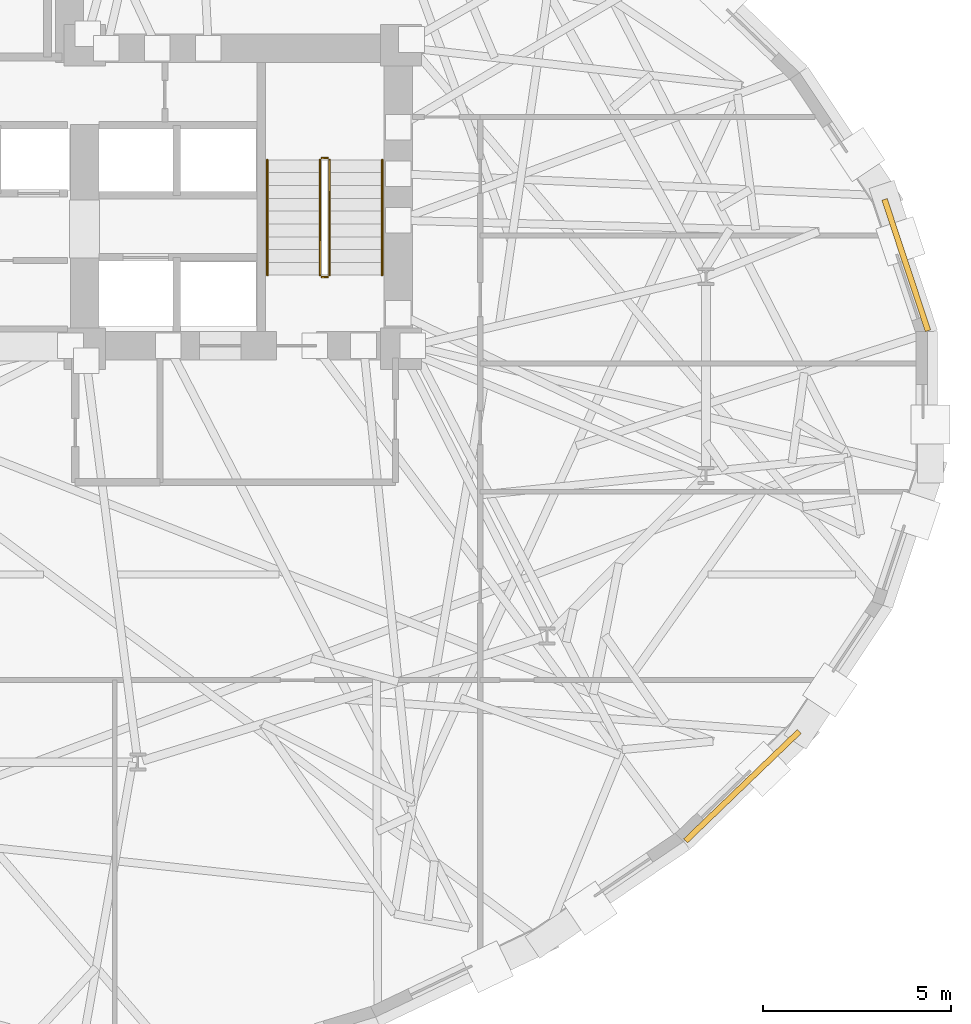
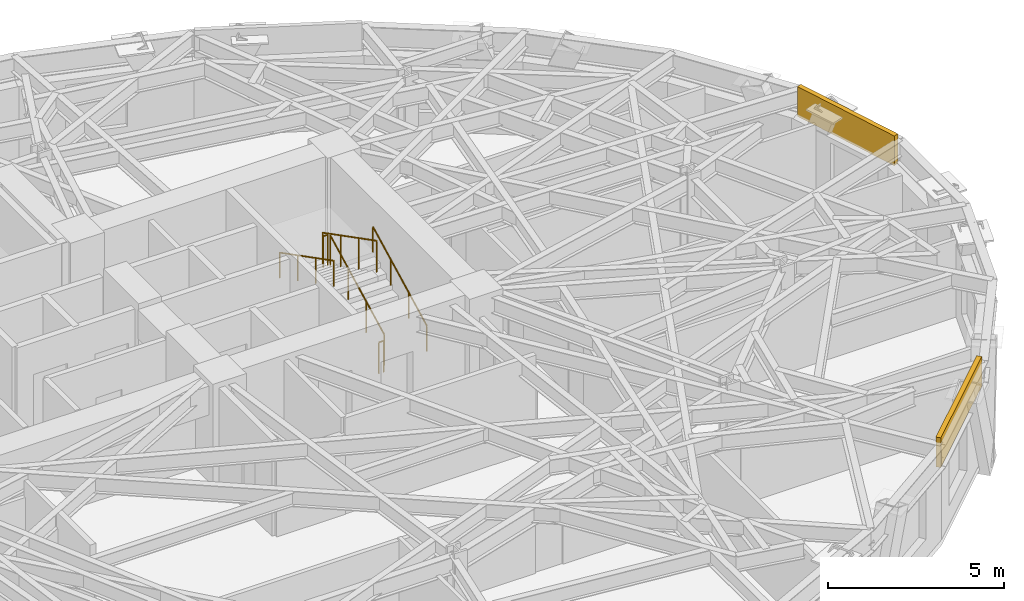
# One storey, part 13 of 14: 6 railings, 2 coverings.
"""IFC4 building model written with IfcOpenShell, lengths in metres."""

from ifc_helpers import new_model, si_unit, direction, frame, origin, origin_2d, place, context, subcontext, project, spatial, rectangle, circle, extrude, material, layer, layer_set, type_object, element, save


model = new_model("IFC4")

# Units and contexts
model_context = context("Model", 3, precision=1e-05, world=origin(), true_north=direction((0.0, 1.0)))
body_context = subcontext(model_context, "Body", "Model", "MODEL_VIEW")
ifc_project = project(units=[si_unit("LENGTHUNIT", "METRE"), si_unit("AREAUNIT", "SQUARE_METRE"), si_unit("VOLUMEUNIT", "CUBIC_METRE"), si_unit("PLANEANGLEUNIT", "RADIAN"), si_unit("MASSUNIT", "GRAM", prefix="KILO")], contexts=[model_context])

# Site, building, storey
site_placement = place(None, origin())
site = spatial("IfcSite", under=ifc_project, at=site_placement, CompositionType="ELEMENT")
building_placement = place(site_placement, origin())
building = spatial("IfcBuilding", under=site, at=building_placement, Name="Keldmark Tower", CompositionType="ELEMENT")
storey_placement = place(building_placement, frame((0.0, 0.0, 103.60009765625)))
storey = spatial("IfcBuildingStorey", under=building, at=storey_placement, Name="L27", CompositionType="ELEMENT", Elevation=103.60009765625)

# Coverings
ifc_material_1 = material(Name="Honed Kasota Buff Dolomitic Limestone", Category="masonry")
ifc_layer = layer(ifc_material_1, 0.074951171875)
ifc_layer_set = layer_set([ifc_layer], Name="Honed Kasota Buff Dolomitic Limestone")
covering_type = type_object("IfcCoveringType", Name="Kasota Buff Limestone Spandrel Cladding Band", PredefinedType="CLADDING", material=ifc_layer_set)
covering_1_placement = place(storey_placement, frame((27.0146484375, 3.617919921875, 2.45166015625), z_axis=(0.0, 0.0, 1.0), x_axis=(-0.314290711278, 0.949326787152, 0.0)))
element("IfcCovering", 1, at=covering_1_placement, inside=storey, type_object=covering_type, Name="L27 Kasota Limestone Spandrel Band 01", PredefinedType="CLADDING", context=body_context, shape_type="SweptSolid", body=[
    extrude(rectangle(XDim=3.67578125, YDim=0.14990234375, at=origin_2d()), origin(), (0.0, 0.0, 1.0), 1.028076171875),
])
covering_2_placement = place(storey_placement, frame((22.6650390625, -10.21630859375, 2.45166015625), z_axis=(0.0, 0.0, 1.0), x_axis=(0.720587417127, 0.693364099357, 0.0)))
element("IfcCovering", 2, at=covering_2_placement, inside=storey, type_object=covering_type, Name="L27 Kasota Limestone Spandrel Band 29", PredefinedType="CLADDING", context=body_context, shape_type="SweptSolid", body=[
    extrude(rectangle(XDim=4.186767578125, YDim=0.14990234375, at=origin_2d()), origin(), (0.0, 0.0, 1.0), 1.028076171875),
])

# Railings
ifc_material_2 = material(Name="Painted Steel ASTM A500 Grade B", Category="steel")
railing_type_1 = type_object("IfcRailingType", Name="Painted Steel Stair Well Guard 1100 mm", PredefinedType="GUARDRAIL", material=ifc_material_2)
railing_1_placement = place(storey_placement, frame((11.699951171875, 3.35009765625, 0.1748046875)))
element("IfcRailing", 3, at=railing_1_placement, inside=storey, type_object=railing_type_1, Name="L27 ST2 stair guard 1", PredefinedType="GUARDRAIL", context=body_context, shape_type="SweptSolid", body=[
    extrude(circle(Radius=0.02392578125, at=origin_2d()), frame((0.0, 0.0, 1.076171875), z_axis=(0.0, 0.889101422983, 0.457710235465), x_axis=(-1.0, 0.0, 0.0)), (0.0, 0.0, 1.0), 3.44140625),
    extrude(circle(Radius=0.02099609375, at=origin_2d()), origin(), (0.0, 0.0, 1.0), 1.052001953125),
    extrude(circle(Radius=0.02099609375, at=origin_2d()), frame((0.0, 1.02001953125, 0.525146484375)), (0.0, 0.0, 1.0), 1.052001953125),
    extrude(circle(Radius=0.02099609375, at=origin_2d()), frame((0.0, 2.039794921875, 1.050048828125)), (0.0, 0.0, 1.0), 1.052001953125),
    extrude(circle(Radius=0.02099609375, at=origin_2d()), frame((0.0, 3.059814453125, 1.5751953125)), (0.0, 0.0, 1.0), 1.052001953125),
])
railing_2_placement = place(storey_placement, frame((11.64990234375, 6.4599609375, 1.75)))
element("IfcRailing", 4, at=railing_2_placement, inside=storey, type_object=railing_type_1, Name="L27 ST2 stair guard 2", PredefinedType="GUARDRAIL", context=body_context, shape_type="SweptSolid", body=[
    extrude(circle(Radius=0.02392578125, at=origin_2d()), frame((0.0, 0.0, 1.076171875), z_axis=(-1.0, 0.0, 0.0), x_axis=(0.0, -1.0, 0.0)), (0.0, 0.0, 1.0), 0.14990234375),
    extrude(circle(Radius=0.02099609375, at=origin_2d()), origin(), (0.0, 0.0, 1.0), 1.052001953125),
    extrude(circle(Radius=0.02099609375, at=origin_2d()), frame((-0.14990234375, 0.0, 0.0)), (0.0, 0.0, 1.0), 1.052001953125),
])
railing_3_placement = place(storey_placement, frame((11.449951171875, 6.409912109375, 1.9248046875)))
element("IfcRailing", 5, at=railing_3_placement, inside=storey, type_object=railing_type_1, Name="L27 ST2 stair guard 3", PredefinedType="GUARDRAIL", context=body_context, shape_type="SweptSolid", body=[
    extrude(circle(Radius=0.02392578125, at=origin_2d()), frame((0.0, 0.0, 1.076171875), z_axis=(0.0, -0.889101422983, 0.457710235465), x_axis=(1.0, 0.0, 0.0)), (0.0, 0.0, 1.0), 3.44140625),
    extrude(circle(Radius=0.02099609375, at=origin_2d()), origin(), (0.0, 0.0, 1.0), 1.052001953125),
    extrude(circle(Radius=0.02099609375, at=origin_2d()), frame((0.0, -1.02001953125, 0.525146484375)), (0.0, 0.0, 1.0), 1.052001953125),
    extrude(circle(Radius=0.02099609375, at=origin_2d()), frame((0.0, -2.039794921875, 1.050048828125)), (0.0, 0.0, 1.0), 1.052001953125),
    extrude(circle(Radius=0.02099609375, at=origin_2d()), frame((0.0, -3.059814453125, 1.5751953125)), (0.0, 0.0, 1.0), 1.052001953125),
])
railing_4_placement = place(storey_placement, frame((11.64990234375, 3.300048828125, 0.0)))
element("IfcRailing", 6, at=railing_4_placement, inside=storey, type_object=railing_type_1, Name="L27 ST2 stair guard 4", PredefinedType="GUARDRAIL", context=body_context, shape_type="SweptSolid", body=[
    extrude(circle(Radius=0.02392578125, at=origin_2d()), frame((0.0, 0.0, 1.076171875), z_axis=(-1.0, 0.0, 0.0), x_axis=(0.0, -1.0, 0.0)), (0.0, 0.0, 1.0), 0.14990234375),
    extrude(circle(Radius=0.02099609375, at=origin_2d()), origin(), (0.0, 0.0, 1.0), 1.052001953125),
    extrude(circle(Radius=0.02099609375, at=origin_2d()), frame((-0.14990234375, 0.0, 0.0)), (0.0, 0.0, 1.0), 1.052001953125),
])
ifc_material_3 = material(Name="Stainless Steel AISI 316L", Category="steel")
railing_type_2 = type_object("IfcRailingType", Name="Stainless Steel Stair Handrail 900 mm", PredefinedType="HANDRAIL", material=ifc_material_3)
railing_5_placement = place(storey_placement, frame((13.10009765625, 3.35009765625, 0.1748046875)))
element("IfcRailing", 7, at=railing_5_placement, inside=storey, type_object=railing_type_2, Name="L27 ST2 stair handrail 1", PredefinedType="HANDRAIL", context=body_context, shape_type="SweptSolid", body=[
    extrude(circle(Radius=0.02392578125, at=origin_2d()), frame((0.0, 0.0, 0.8759765625), z_axis=(0.0, 0.889101422983, 0.457710235465), x_axis=(-1.0, 0.0, 0.0)), (0.0, 0.0, 1.0), 3.44140625),
    extrude(circle(Radius=0.02099609375, at=origin_2d()), origin(), (0.0, 0.0, 1.0), 0.851806640625),
    extrude(circle(Radius=0.02099609375, at=origin_2d()), frame((0.0, 1.02001953125, 0.525146484375)), (0.0, 0.0, 1.0), 0.851806640625),
    extrude(circle(Radius=0.02099609375, at=origin_2d()), frame((0.0, 2.039794921875, 1.050048828125)), (0.0, 0.0, 1.0), 0.851806640625),
    extrude(circle(Radius=0.02099609375, at=origin_2d()), frame((0.0, 3.059814453125, 1.5751953125)), (0.0, 0.0, 1.0), 0.851806640625),
])
railing_6_placement = place(storey_placement, frame((10.050048828125, 6.409912109375, 1.9248046875)))
element("IfcRailing", 8, at=railing_6_placement, inside=storey, type_object=railing_type_2, Name="L27 ST2 stair handrail 2", PredefinedType="HANDRAIL", context=body_context, shape_type="SweptSolid", body=[
    extrude(circle(Radius=0.02392578125, at=origin_2d()), frame((0.0, 0.0, 0.8759765625), z_axis=(0.0, -0.889101422983, 0.457710235465), x_axis=(1.0, 0.0, 0.0)), (0.0, 0.0, 1.0), 3.44140625),
    extrude(circle(Radius=0.02099609375, at=origin_2d()), origin(), (0.0, 0.0, 1.0), 0.851806640625),
    extrude(circle(Radius=0.02099609375, at=origin_2d()), frame((0.0, -1.02001953125, 0.525146484375)), (0.0, 0.0, 1.0), 0.851806640625),
    extrude(circle(Radius=0.02099609375, at=origin_2d()), frame((0.0, -2.039794921875, 1.050048828125)), (0.0, 0.0, 1.0), 0.851806640625),
    extrude(circle(Radius=0.02099609375, at=origin_2d()), frame((0.0, -3.059814453125, 1.5751953125)), (0.0, 0.0, 1.0), 0.851806640625),
])

save(model, "model.ifc")
